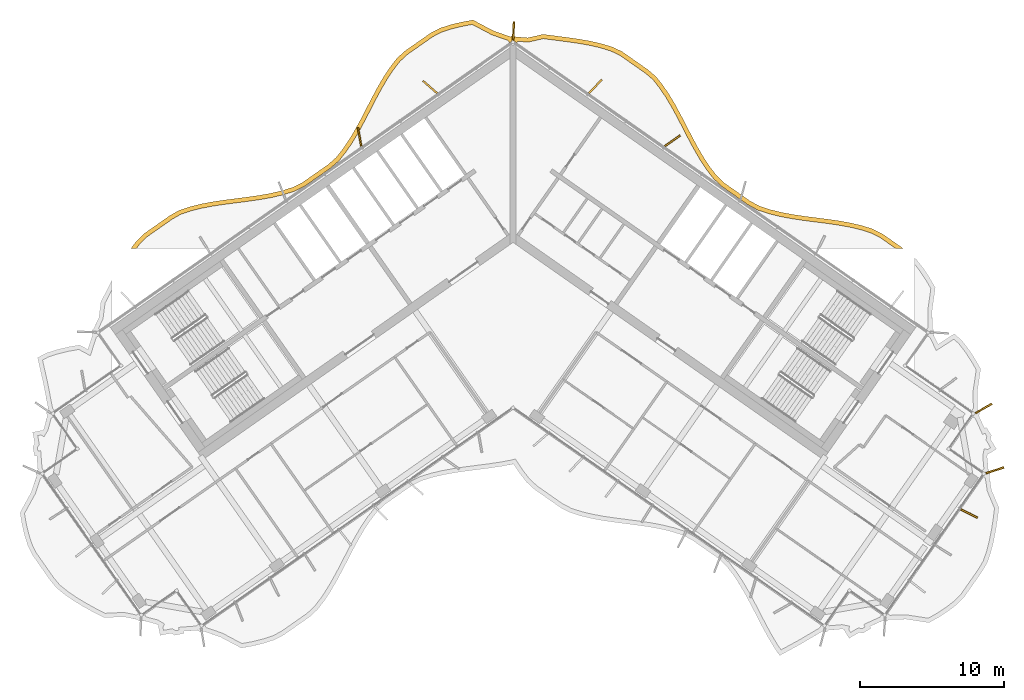
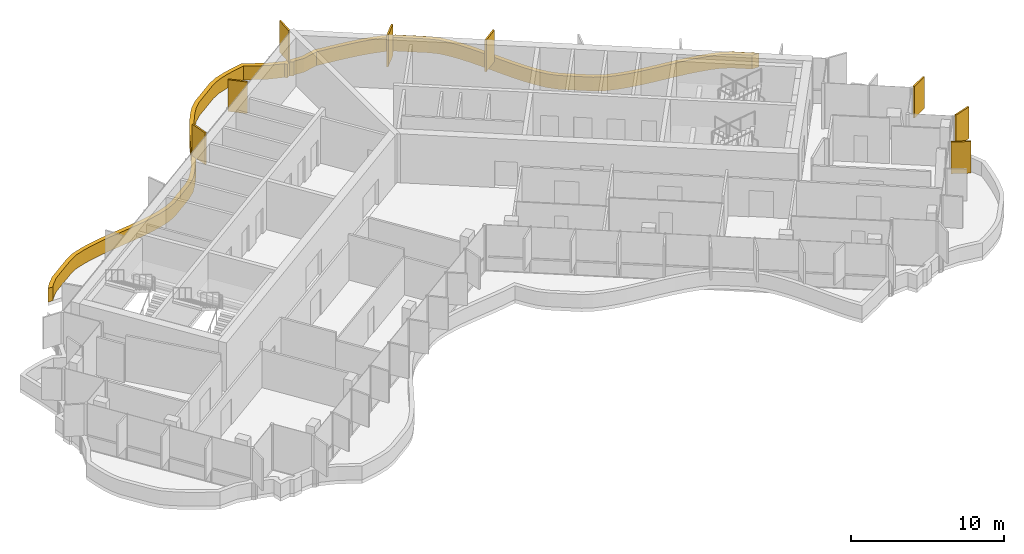
# One storey, part 20 of 20: 9 shading devices.
"""IFC4 building model written with IfcOpenShell, lengths in metres."""

import ifcopenshell
import ifcopenshell.guid

model = None  # the IFC model being written
_history = None  # IfcOwnerHistory: only IFC2X3 demands one
_inside = {}  # id of a spatial element -> (the spatial element, [elements in it])
_under = {}  # id of a project, library or spatial element -> (it, [spatial elements below it])
_declared = {}  # id of a project -> (the project, [libraries it declares])
_typed = {}  # id of a type object -> (the type object, [elements of that type])
_made_of = {}  # id of a material, layer set ... -> (it, [elements and type objects made of it])


def new_model(schema):
    """Start an empty IFC model of exactly this schema.

    Asked for "IFC4X3", IfcOpenShell would pick the latest addendum, in which some entities
    have other attributes; the version numbers below select the first issue.
    IFC2X3 requires an IfcOwnerHistory on every rooted entity: one is made here for all.
    """
    global model, _history
    if schema == "IFC4X3":
        model = ifcopenshell.file(schema_version=(4, 3, 0, 0))
    else:
        model = ifcopenshell.file(schema=schema)
    _inside.clear()
    _under.clear()
    _declared.clear()
    _typed.clear()
    _made_of.clear()
    _history = None
    if model.schema == "IFC2X3":
        org = make("IfcOrganization", Name="unknown")
        user = make(
            "IfcPersonAndOrganization",
            ThePerson=make("IfcPerson", FamilyName="unknown"),
            TheOrganization=org,
        )
        app = make(
            "IfcApplication",
            ApplicationDeveloper=org,
            Version="unknown",
            ApplicationFullName="unknown",
            ApplicationIdentifier="unknown",
        )
        _history = make(
            "IfcOwnerHistory",
            OwningUser=user,
            OwningApplication=app,
            ChangeAction="ADDED",
            CreationDate=0,
        )
    return model


def make(cls, **values):
    """One entity of the class cls with the attributes given. An attribute that is None is left unset."""
    return model.create_entity(
        cls, **{name: value for name, value in values.items() if value is not None}
    )


def rooted(cls, **values):
    """An entity with a GlobalId (a new one), such as an element, a storey or a relation."""
    return make(cls, GlobalId=ifcopenshell.guid.new(), OwnerHistory=_history, **values)


def si_unit(unit_type, name, prefix=None):
    """IfcSIUnit, for example si_unit("LENGTHUNIT", "METRE", prefix="MILLI")."""
    return make("IfcSIUnit", UnitType=unit_type, Prefix=prefix, Name=name)


def assignment(units):
    """IfcUnitAssignment: the units of a project."""
    return None if units is None else make("IfcUnitAssignment", Units=units)


def point(xyz):
    """IfcCartesianPoint."""
    return None if xyz is None else make("IfcCartesianPoint", Coordinates=xyz)


def direction(xyz):
    """IfcDirection."""
    return None if xyz is None else make("IfcDirection", DirectionRatios=xyz)


def frame(location, z_axis=None, x_axis=None):
    """IfcAxis2Placement3D, a coordinate frame: its origin and axes. An axis left out is left unset."""
    return make(
        "IfcAxis2Placement3D",
        Location=point(location),
        Axis=direction(z_axis),
        RefDirection=direction(x_axis),
    )


def frame_2d(location, x_axis=None):
    """IfcAxis2Placement2D, a coordinate frame in the plane: its origin and x axis."""
    return make(
        "IfcAxis2Placement2D", Location=point(location), RefDirection=direction(x_axis)
    )


def origin():
    """The frame at (0, 0, 0) with its axes left unset."""
    return frame((0.0, 0.0, 0.0))


def origin_2d():
    """The frame at (0, 0) in the plane with its x axis left unset."""
    return frame_2d((0.0, 0.0))


def place(relative_to, where):
    """IfcLocalPlacement: puts the frame where relative to a parent placement (None: the world)."""
    return make(
        "IfcLocalPlacement", PlacementRelTo=relative_to, RelativePlacement=where
    )


def context(
    kind, dimensions, precision=None, world=None, true_north=None, identifier=None
):
    """IfcGeometricRepresentationContext, for example the 3D "Model" context."""
    return make(
        "IfcGeometricRepresentationContext",
        ContextIdentifier=identifier,
        ContextType=kind,
        CoordinateSpaceDimension=dimensions,
        Precision=precision,
        WorldCoordinateSystem=world,
        TrueNorth=true_north,
    )


def subcontext(parent, identifier, kind, view, scale=None):
    """IfcGeometricRepresentationSubContext, for example "Body" below "Model"."""
    return make(
        "IfcGeometricRepresentationSubContext",
        ContextIdentifier=identifier,
        ContextType=kind,
        ParentContext=parent,
        TargetScale=scale,
        TargetView=view,
    )


def project(units=None, contexts=None):
    """IfcProject with its units and contexts."""
    return rooted(
        "IfcProject",
        Name="project",
        RepresentationContexts=contexts,
        UnitsInContext=assignment(units),
    )


def spatial(cls, under=None, at=None, **own):
    """A site, building, storey or space (cls), placed at a placement, below another one or the project."""
    s = rooted(cls, ObjectPlacement=at, **own)
    if under is not None:
        _under.setdefault(under.id(), (under, []))[1].append(s)
    return s


def polyline(points):
    """IfcPolyline through the points."""
    return make("IfcPolyline", Points=[point(p) for p in points])


def profile(cls, at=None, kind="AREA", **sizes):
    """A parametric profile (cls). Its sizes go by their IFC names, for example OverallWidth=200.0."""
    return make(cls, ProfileType=kind, Position=at, **sizes)


def rectangle(**sizes):
    """IfcRectangleProfileDef."""
    return profile("IfcRectangleProfileDef", **sizes)


def outline(outer, holes=None, kind="AREA"):
    """IfcArbitraryClosedProfileDef: a profile drawn as a closed curve; with holes, ...WithVoids."""
    if holes is None:
        return make("IfcArbitraryClosedProfileDef", ProfileType=kind, OuterCurve=outer)
    return make(
        "IfcArbitraryProfileDefWithVoids",
        ProfileType=kind,
        OuterCurve=outer,
        InnerCurves=holes,
    )


def extrude(swept, where, along, depth):
    """IfcExtrudedAreaSolid: the profile swept, set in the frame where, extruded along a direction by depth."""
    return make(
        "IfcExtrudedAreaSolid",
        SweptArea=swept,
        Position=where,
        ExtrudedDirection=direction(along),
        Depth=depth,
    )


def shape(context_of_items, identifier, shape_type, items):
    """IfcShapeRepresentation: the items that make up one representation, for example the "Body"."""
    return make(
        "IfcShapeRepresentation",
        ContextOfItems=context_of_items,
        RepresentationIdentifier=identifier,
        RepresentationType=shape_type,
        Items=items,
    )


def material(Name=None, Category=None):
    """IfcMaterial."""
    return make("IfcMaterial", Name=Name, Category=Category)


def layer(
    of_material, thickness, ventilated=None, Name=None, Category=None, Priority=None
):
    """IfcMaterialLayer: one layer of a wall or slab, of a material (None: an air gap)."""
    return make(
        "IfcMaterialLayer",
        Material=of_material,
        LayerThickness=thickness,
        IsVentilated=ventilated,
        Name=Name,
        Category=Category,
        Priority=Priority,
    )


def layer_set(layers, Name=None):
    """IfcMaterialLayerSet."""
    return make("IfcMaterialLayerSet", MaterialLayers=layers, LayerSetName=Name)


def made_of(thing, what):
    """Note that an element or type object is made of a material, layer set ...; save() writes the relation."""
    if what is not None:
        _made_of.setdefault(what.id(), (what, []))[1].append(thing)
    return thing


def type_object(cls, material=None, **own):
    """A type object (cls), such as IfcWallType, which elements share."""
    return made_of(rooted(cls, **own), material)


def element(
    cls,
    number,
    at=None,
    inside=None,
    cuts=None,
    type_object=None,
    material=None,
    context=None,
    identifier="Body",
    shape_type=None,
    held_by="IfcProductDefinitionShape",
    body=None,
    shapes=None,
    **own,
):
    """One element of the class cls, such as IfcWall. Its Tag is "e" and its number.

    at: its placement. inside: the storey or other place that contains it. cuts: it is an
    opening in that element (IfcRelVoidsElement). A single representation is given by context,
    identifier, shape_type and body (its items); several are given by shapes. held_by: the class
    of the entity that holds the representations. save() writes the other relations.
    """
    e = rooted(cls, Tag="e%d" % number, ObjectPlacement=at, **own)
    if body is not None:
        shapes = [shape(context, identifier, shape_type, body)]
    if shapes is not None:
        e.Representation = make(held_by, Representations=shapes)
    if inside is not None:
        _inside.setdefault(inside.id(), (inside, []))[1].append(e)
    if cuts is not None:
        rooted(
            "IfcRelVoidsElement", RelatingBuildingElement=cuts, RelatedOpeningElement=e
        )
    if type_object is not None:
        _typed.setdefault(type_object.id(), (type_object, []))[1].append(e)
    return made_of(e, material)


def aggregate(whole, parts):
    """IfcRelAggregates: a whole, such as a stair, and the parts it consists of."""
    return rooted("IfcRelAggregates", RelatingObject=whole, RelatedObjects=parts)


def save(model, path):
    """Write the relations noted so far, then the file.

    IfcRelAggregates (storeys below a building ...), IfcRelContainedInSpatialStructure (elements
    in a storey), IfcRelDefinesByType, IfcRelAssociatesMaterial and IfcRelDeclares: one each for
    every whole, place, type object, material and project.
    """
    for whole, parts in _under.values():
        aggregate(whole, parts)
    for where, things in _inside.values():
        rooted(
            "IfcRelContainedInSpatialStructure",
            RelatedElements=things,
            RelatingStructure=where,
        )
    for kind, things in _typed.values():
        rooted("IfcRelDefinesByType", RelatedObjects=things, RelatingType=kind)
    for what, things in _made_of.values():
        rooted("IfcRelAssociatesMaterial", RelatedObjects=things, RelatingMaterial=what)
    for by, libraries in _declared.values():
        rooted("IfcRelDeclares", RelatingContext=by, RelatedDefinitions=libraries)
    model.write(path)


model = new_model("IFC4")

# Units and contexts
model_context = context("Model", 3, precision=1e-05, world=origin(), true_north=direction((0.0, 1.0)))
body_context = subcontext(model_context, "Body", "Model", "MODEL_VIEW")
ifc_project = project(units=[si_unit("LENGTHUNIT", "METRE"), si_unit("AREAUNIT", "SQUARE_METRE"), si_unit("VOLUMEUNIT", "CUBIC_METRE"), si_unit("PLANEANGLEUNIT", "RADIAN"), si_unit("MASSUNIT", "GRAM", prefix="KILO")], contexts=[model_context])

# Site, building, storey
site_placement = place(None, origin())
site = spatial("IfcSite", under=ifc_project, at=site_placement, CompositionType="ELEMENT")
building_placement = place(site_placement, origin())
building = spatial("IfcBuilding", under=site, at=building_placement, Name="Tel Ilan Convention Tower", CompositionType="ELEMENT")
storey_placement = place(building_placement, frame((0.0, 0.0, 244.89990234375)))
storey = spatial("IfcBuildingStorey", under=building, at=storey_placement, Name="L57", CompositionType="ELEMENT", Elevation=244.89990234375)

# Shading devices
ifc_material_1 = material(Name="Aluminium, bronze anodised", Category="aluminium")
ifc_layer_1 = layer(ifc_material_1, 0.1201171875)
ifc_layer_set_1 = layer_set([ifc_layer_1], Name="FIN BRONZE 1300x120")
shading_device_type_1 = type_object("IfcShadingDeviceType", Name="FIN BRONZE 1300x120", PredefinedType="USERDEFINED", material=ifc_layer_set_1)
for number, where, z_axis, x_axis, name in (
    (1, (11.070556640625, 5.838623046875, 1.10009765625), (0.0, 0.0, 1.0), (0.813552070258, 0.581492071294, 0.0), "FIN"),
    (2, (5.716064453125, 9.61083984375, 1.10009765625), (0.0, 0.0, 1.0), (0.686241637865, 0.727373641577, 0.0), "FIN"),
    (3, (0.031494140625, 13.4697265625, 1.10009765625), (0.0, 0.0, 1.0), (0.048462378231, 0.998825008646, 0.0), "FIN"),
    (4, (-5.762939453125, 9.570068359375, 1.10009765625), (0.0, 0.0, 1.0), (-0.753435896329, 0.657521368568, 0.0), "FIN"),
    (5, (-10.65771484375, 6.10498046875, 1.10009765625), (0.0, 0.0, 1.0), (-0.173648177667, 0.984807753012, 0.0), "FIN"),
    (6, (31.6787109375, -20.052490234375, 1.10009765625), (0.0, 0.0, 1.0), (0.893632640321, -0.448799180206, 0.0), "FIN"),
    (7, (33.465576171875, -17.0517578125, 1.10009765625), (0.0, 0.0, 1.0), (0.949242643575, 0.314544756146, 0.0), "FIN"),
    (8, (32.689208984375, -12.756591796875, 1.10009765625), (0.0, 0.0, 1.0), (0.870832754082, 0.491579408049, 0.0), "FIN"),
):
    element("IfcShadingDevice", number, at=place(storey_placement, frame(where, z_axis=z_axis, x_axis=x_axis)), inside=storey, type_object=shading_device_type_1, Name=name, ObjectType="FIN", PredefinedType="USERDEFINED", context=body_context, shape_type="SweptSolid", body=[
        extrude(rectangle(XDim=1.300048828125, YDim=0.1201171875, at=origin_2d()), origin(), (0.0, 0.0, 1.0), 2.52001953125),
    ])
ifc_material_2 = material(Name="Aluminium, bronze anodised", Category="aluminium")
ifc_layer_2 = layer(ifc_material_2, 0.300048828125)
ifc_layer_set_2 = layer_set([ifc_layer_2], Name="LOUVRE BAND 300x1100")
shading_device_type_2 = type_object("IfcShadingDeviceType", Name="LOUVRE BAND 300x1100", PredefinedType="USERDEFINED", material=ifc_layer_set_2)
shading_device_placement = place(storey_placement, origin())
element("IfcShadingDevice", 9, at=shading_device_placement, inside=storey, type_object=shading_device_type_2, Name="LOUVRE BAND 44.02", ObjectType="LOUVRE", PredefinedType="USERDEFINED", context=body_context, shape_type="SweptSolid", body=[
    extrude(outline(polyline([(-26.1787109375, -1.1572265625), (-26.535888671875, -1.631591796875), (-26.160400390625, -1.631591796875), (-25.951416015625, -1.35400390625), (-25.457275390625, -0.856689453125), (-23.680908203125, 0.38720703125), (-23.075439453125, 0.7314453125), (-22.38525390625, 0.962158203125), (-21.640625, 1.14990234375), (-20.86181640625, 1.298828125), (-20.0576171875, 1.420166015625), (-18.409423828125, 1.63232421875), (-17.585205078125, 1.750732421875), (-16.773193359375, 1.89599609375), (-15.982666015625, 2.081298828125), (-15.212646484375, 2.320556640625), (-14.499267578125, 2.665771484375), (-12.656005859375, 3.956298828125), (-12.066162109375, 4.474609375), (-11.566650390625, 5.110107421875), (-11.115234375, 5.78173828125), (-10.696044921875, 6.4892578125), (-10.29931640625, 7.220458984375), (-9.535400390625, 8.69873046875), (-9.148681640625, 9.41796875), (-8.746337890625, 10.106201171875), (-8.320556640625, 10.751220703125), (-7.871337890625, 11.33544921875), (-7.3623046875, 11.813720703125), (-5.585693359375, 13.0576171875), (-4.96826171875, 13.382568359375), (-4.27001953125, 13.607666015625), (-3.520751953125, 13.78955078125), (-2.834228515625, 13.914794921875), (-1.477294921875, 13.19677734375), (-0.362060546875, 12.81201171875), (-0.24609375, 12.646728515625), (0.0, 12.818115234375), (0.24609375, 12.646728515625), (0.318603515625, 12.75), (1.040771484375, 12.687744140625), (2.10400390625, 12.9296875), (3.699462890625, 12.72509765625), (4.510009765625, 12.60986328125), (5.2978515625, 12.47119140625), (6.054443359375, 12.297119140625), (6.765625, 12.080078125), (7.40185546875, 11.785888671875), (9.17822265625, 10.5419921875), (9.708740234375, 10.0908203125), (10.16162109375, 9.521240234375), (10.5927734375, 8.885498046875), (10.9990234375, 8.204833984375), (11.38818359375, 7.49072265625), (12.151123046875, 6.014404296875), (12.54443359375, 5.2802734375), (12.958740234375, 4.567138671875), (13.403076171875, 3.8876953125), (13.891357421875, 3.245849609375), (14.459716796875, 2.693359375), (16.302978515625, 1.40283203125), (16.991455078125, 1.02587890625), (17.759521484375, 0.773681640625), (18.544921875, 0.579345703125), (19.353271484375, 0.42724609375), (20.176025390625, 0.3046875), (21.826416015625, 0.092529296875), (22.634765625, -0.025146484375), (23.4189453125, -0.167724609375), (24.1708984375, -0.34716796875), (24.873291015625, -0.569580078125), (25.496826171875, -0.88427734375), (26.56396484375, -1.631591796875), (27.087158203125, -1.631591796875), (25.6513671875, -0.626220703125), (24.987060546875, -0.290771484375), (24.2509765625, -0.057861328125), (23.480712890625, 0.1259765625), (22.68310546875, 0.27099609375), (21.8671875, 0.3896484375), (20.21728515625, 0.601806640625), (19.4033203125, 0.72314453125), (18.60888671875, 0.87255859375), (17.842529296875, 1.062255859375), (17.111328125, 1.30224609375), (16.46142578125, 1.657958984375), (15.2548828125, 2.5029296875), (14.6513671875, 2.92529296875), (14.116455078125, 3.4453125), (13.648193359375, 4.060791015625), (13.214111328125, 4.724609375), (12.806396484375, 5.426513671875), (12.416748046875, 6.154052734375), (11.653076171875, 7.631591796875), (11.259521484375, 8.353515625), (10.845947265625, 9.046875), (10.403564453125, 9.69921875), (9.925537109375, 10.300537109375), (9.36181640625, 10.77978515625), (7.552001953125, 12.047119140625), (6.872802734375, 12.361083984375), (6.132080078125, 12.587158203125), (5.357666015625, 12.765380859375), (4.55712890625, 12.90625), (3.739501953125, 13.0224609375), (2.08935546875, 13.234130859375), (1.02001953125, 12.99072265625), (0.168701171875, 13.059326171875), (0.11474609375, 13.09521484375), (0.0, 13.1181640625), (-0.11474609375, 13.09521484375), (-0.168701171875, 13.059326171875), (-1.357666015625, 13.472900390625), (-2.785888671875, 14.228515625), (-3.5830078125, 14.083251953125), (-4.3515625, 13.896484375), (-5.0849609375, 13.66015625), (-5.7421875, 13.314453125), (-7.552001953125, 12.047119140625), (-8.09423828125, 11.53759765625), (-8.56494140625, 10.925537109375), (-9.001220703125, 10.264404296875), (-9.410400390625, 9.564697265625), (-9.801025390625, 8.838623046875), (-10.564453125, 7.36083984375), (-10.95703125, 6.63720703125), (-11.369140625, 5.94189453125), (-11.809326171875, 5.28662109375), (-12.284912109375, 4.681640625), (-12.841552734375, 4.192626953125), (-14.6513671875, 2.92529296875), (-15.3232421875, 2.6005859375), (-16.0615234375, 2.370849609375), (-16.833984375, 2.18994140625), (-17.6328125, 2.046875), (-18.44970703125, 1.9296875), (-20.099365234375, 1.71728515625), (-20.91259765625, 1.594482421875), (-21.705322265625, 1.44287109375), (-22.4697265625, 1.250244140625), (-23.1982421875, 1.0068359375), (-23.84130859375, 0.64111328125), (-25.6513671875, -0.626220703125), (-26.1787109375, -1.1572265625)])), origin(), (0.0, 0.0, 1.0), 1.10009765625),
])

save(model, "model.ifc")
